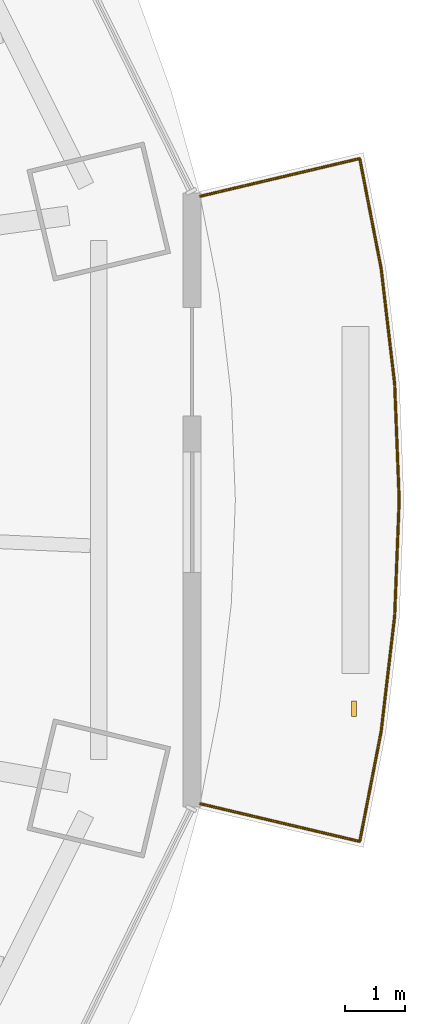
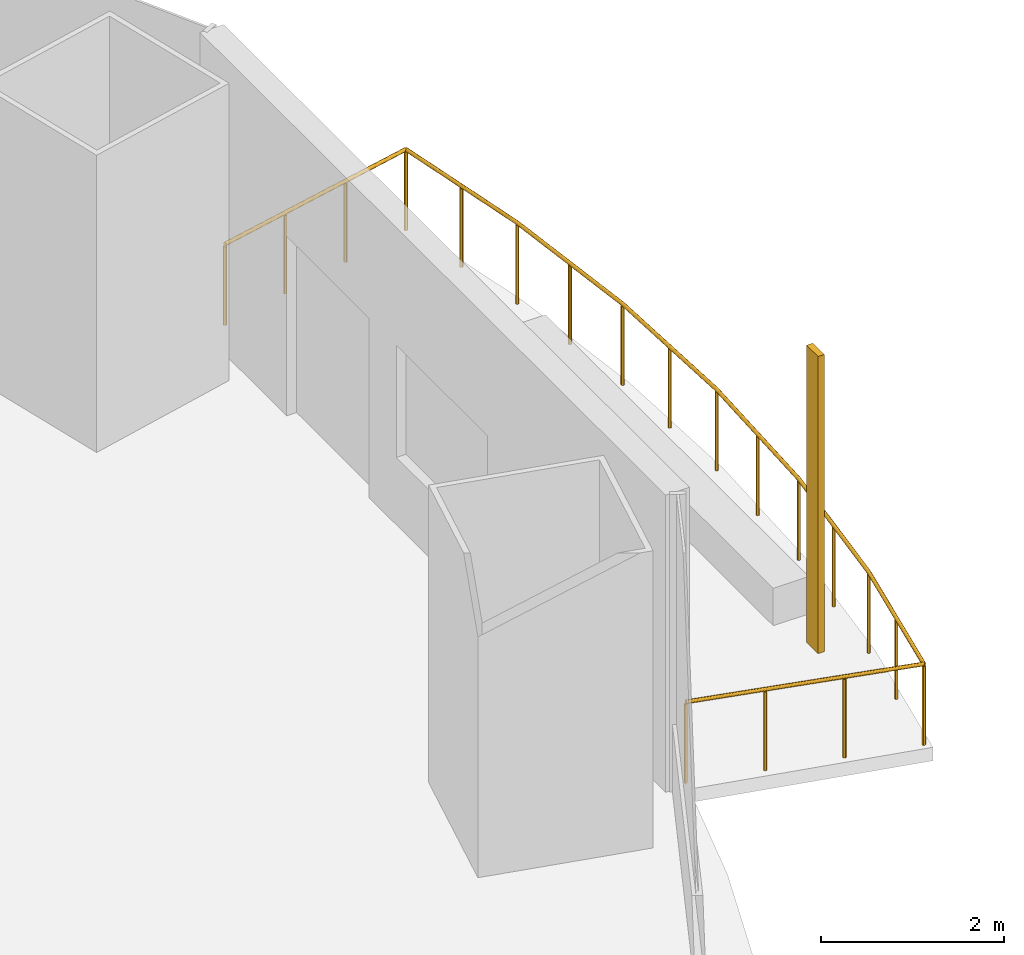
# One storey, part 19 of 20: 1 railing, 1 shading device.
"""IFC4 building model written with IfcOpenShell, lengths in metres."""

from ifc_helpers import new_model, si_unit, direction, frame, origin, origin_2d, place, context, subcontext, project, spatial, rectangle, circle, extrude, material, material_profile, profile_set, type_object, element, save


model = new_model("IFC4")

# Units and contexts
model_context = context("Model", 3, precision=1e-05, world=origin(), true_north=direction((0.0, 1.0)))
body_context = subcontext(model_context, "Body", "Model", "MODEL_VIEW")
ifc_project = project(units=[si_unit("LENGTHUNIT", "METRE"), si_unit("AREAUNIT", "SQUARE_METRE"), si_unit("VOLUMEUNIT", "CUBIC_METRE"), si_unit("PLANEANGLEUNIT", "RADIAN"), si_unit("MASSUNIT", "GRAM", prefix="KILO")], contexts=[model_context])

# Site, building, storey
site_placement = place(None, origin())
site = spatial("IfcSite", under=ifc_project, at=site_placement, CompositionType="ELEMENT")
building_placement = place(site_placement, origin())
building = spatial("IfcBuilding", under=site, at=building_placement, Name="Marenthal Gate Tower", CompositionType="ELEMENT")
storey_placement = place(building_placement, frame((0.0, 0.0, 219.14990234375)))
storey = spatial("IfcBuildingStorey", under=building, at=storey_placement, Name="L48", CompositionType="ELEMENT", Elevation=219.14990234375)

# Railing
ifc_material_1 = material(Name="Stainless steel", Category="steel")
railing_type = type_object("IfcRailingType", Name="Balcony guard 1100", PredefinedType="GUARDRAIL", material=ifc_material_1)
railing_placement = place(storey_placement, frame((32.468017578125, 4.443359375, 0.0)))
element("IfcRailing", 1, at=railing_placement, inside=storey, type_object=railing_type, Name="Balcony guard L48 bay 16", PredefinedType="GUARDRAIL", context=body_context, shape_type="SweptSolid", body=[
    extrude(circle(Radius=0.02392578125, at=origin_2d()), frame((0.0, 0.0, 1.076171875), z_axis=(0.97305343456, 0.23011520072, -0.01462900847), x_axis=(-0.230139827907, 0.97315757183, 0.0)), (0.0, 0.0, 1.0), 2.72021484375),
    extrude(circle(Radius=0.02392578125, at=origin_2d()), frame((2.64697265625, 0.6259765625, 1.0361328125), z_axis=(0.19120755082, -0.981549628144, 0.0), x_axis=(0.981549628144, 0.19120755082, 0.0)), (0.0, 0.0, 1.0), 1.8564453125),
    extrude(circle(Radius=0.02392578125, at=origin_2d()), frame((3.001953125, -1.1962890625, 1.0361328125), z_axis=(0.116379345388, -0.993204836862, 0.0), x_axis=(0.993204836862, 0.116379345388, 0.0)), (0.0, 0.0, 1.0), 1.93212890625),
    extrude(circle(Radius=0.02392578125, at=origin_2d()), frame((3.226806640625, -3.115234375, 1.0361328125), z_axis=(0.038967595119, -0.999240474826, 0.0), x_axis=(0.999240474826, 0.038967595119, 0.0)), (0.0, 0.0, 1.0), 1.9296875),
    extrude(circle(Radius=0.02392578125, at=origin_2d()), frame((3.302001953125, -5.04345703125, 1.0361328125), z_axis=(-0.038972522105, -0.999240282675, 0.0), x_axis=(0.999240282675, -0.038972522105, 0.0)), (0.0, 0.0, 1.0), 1.929443359375),
    extrude(circle(Radius=0.02392578125, at=origin_2d()), frame((3.226806640625, -6.971435546875, 1.0361328125), z_axis=(-0.116379345388, -0.993204836862, 0.0), x_axis=(0.993204836862, -0.116379345388, 0.0)), (0.0, 0.0, 1.0), 1.93212890625),
    extrude(circle(Radius=0.02392578125, at=origin_2d()), frame((3.001953125, -8.890380859375, 1.0361328125), z_axis=(-0.191182873219, -0.981554435061, 0.0), x_axis=(0.981554435061, -0.191182873219, 0.0)), (0.0, 0.0, 1.0), 1.856689453125),
    extrude(circle(Radius=0.02392578125, at=origin_2d()), frame((2.64697265625, -10.712890625, 1.0361328125), z_axis=(-0.973033335279, 0.230200194152, 0.014628706295), x_axis=(-0.230224829417, -0.973137466096, 0.0)), (0.0, 0.0, 1.0), 2.72021484375),
    extrude(circle(Radius=0.02099609375, at=origin_2d()), origin(), (0.0, 0.0, 1.0), 1.052001953125),
    extrude(circle(Radius=0.02099609375, at=origin_2d()), frame((0.88232421875, 0.208740234375, -0.01318359375)), (0.0, 0.0, 1.0), 1.052001953125),
    extrude(circle(Radius=0.02099609375, at=origin_2d()), frame((1.7646484375, 0.417236328125, -0.026611328125)), (0.0, 0.0, 1.0), 1.052001953125),
    extrude(circle(Radius=0.02099609375, at=origin_2d()), frame((2.64697265625, 0.6259765625, -0.039794921875)), (0.0, 0.0, 1.0), 1.052001953125),
    extrude(circle(Radius=0.02099609375, at=origin_2d()), frame((2.824462890625, -0.28515625, -0.039794921875)), (0.0, 0.0, 1.0), 1.052001953125),
    extrude(circle(Radius=0.02099609375, at=origin_2d()), frame((3.001953125, -1.1962890625, -0.039794921875)), (0.0, 0.0, 1.0), 1.052001953125),
    extrude(circle(Radius=0.02099609375, at=origin_2d()), frame((3.1142578125, -2.15576171875, -0.039794921875)), (0.0, 0.0, 1.0), 1.052001953125),
    extrude(circle(Radius=0.02099609375, at=origin_2d()), frame((3.226806640625, -3.115234375, -0.039794921875)), (0.0, 0.0, 1.0), 1.052001953125),
    extrude(circle(Radius=0.02099609375, at=origin_2d()), frame((3.264404296875, -4.079345703125, -0.039794921875)), (0.0, 0.0, 1.0), 1.052001953125),
    extrude(circle(Radius=0.02099609375, at=origin_2d()), frame((3.302001953125, -5.04345703125, -0.039794921875)), (0.0, 0.0, 1.0), 1.052001953125),
    extrude(circle(Radius=0.02099609375, at=origin_2d()), frame((3.264404296875, -6.00732421875, -0.039794921875)), (0.0, 0.0, 1.0), 1.052001953125),
    extrude(circle(Radius=0.02099609375, at=origin_2d()), frame((3.226806640625, -6.971435546875, -0.039794921875)), (0.0, 0.0, 1.0), 1.052001953125),
    extrude(circle(Radius=0.02099609375, at=origin_2d()), frame((3.1142578125, -7.930908203125, -0.039794921875)), (0.0, 0.0, 1.0), 1.052001953125),
    extrude(circle(Radius=0.02099609375, at=origin_2d()), frame((3.001953125, -8.890380859375, -0.039794921875)), (0.0, 0.0, 1.0), 1.052001953125),
    extrude(circle(Radius=0.02099609375, at=origin_2d()), frame((2.824462890625, -9.8017578125, -0.039794921875)), (0.0, 0.0, 1.0), 1.052001953125),
    extrude(circle(Radius=0.02099609375, at=origin_2d()), frame((2.64697265625, -10.712890625, -0.039794921875)), (0.0, 0.0, 1.0), 1.052001953125),
    extrude(circle(Radius=0.02099609375, at=origin_2d()), frame((1.7646484375, -10.504150390625, -0.026611328125)), (0.0, 0.0, 1.0), 1.052001953125),
    extrude(circle(Radius=0.02099609375, at=origin_2d()), frame((0.88232421875, -10.29541015625, -0.01318359375)), (0.0, 0.0, 1.0), 1.052001953125),
    extrude(circle(Radius=0.02099609375, at=origin_2d()), frame((0.0, -10.086669921875, 0.0)), (0.0, 0.0, 1.0), 1.052001953125),
])

# Shading device
ifc_material_2 = material(Name="Terracotta", Category="masonry")
ifc_material_profile = material_profile(ifc_material_2, rectangle(XDim=0.25, YDim=0.080078125, at=origin_2d()), Name="Terracotta baguette 250x80")
ifc_profile_set = profile_set([ifc_material_profile], Name="Terracotta")
shading_device_type = type_object("IfcShadingDeviceType", Name="Terracotta BAGUETTE SCREEN 250x80", PredefinedType="USERDEFINED", material=ifc_profile_set)
shading_device_placement = place(storey_placement, frame((35.01806640625, -4.06640625, -0.039794921875), z_axis=(0.0, 0.0, 1.0), x_axis=(0.0, 1.0, 0.0)))
element("IfcShadingDevice", 2, at=shading_device_placement, inside=storey, type_object=shading_device_type, Name="Terracotta BAGUETTE L48 bay 16L", ObjectType="BAGUETTE SCREEN", PredefinedType="USERDEFINED", context=body_context, shape_type="SweptSolid", body=[
    extrude(rectangle(XDim=0.25, YDim=0.080078125, at=origin_2d()), origin(), (0.0, 0.0, 1.0), 3.969970703125),
])

save(model, "model.ifc")
